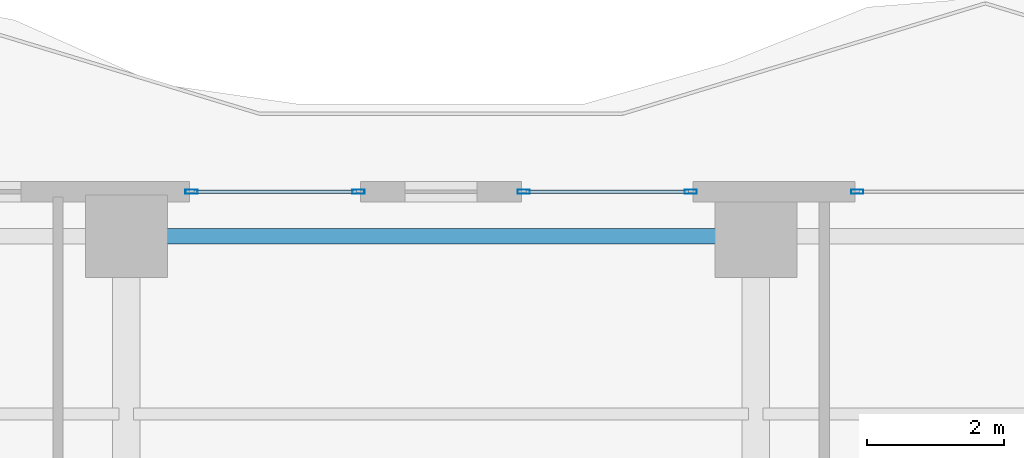
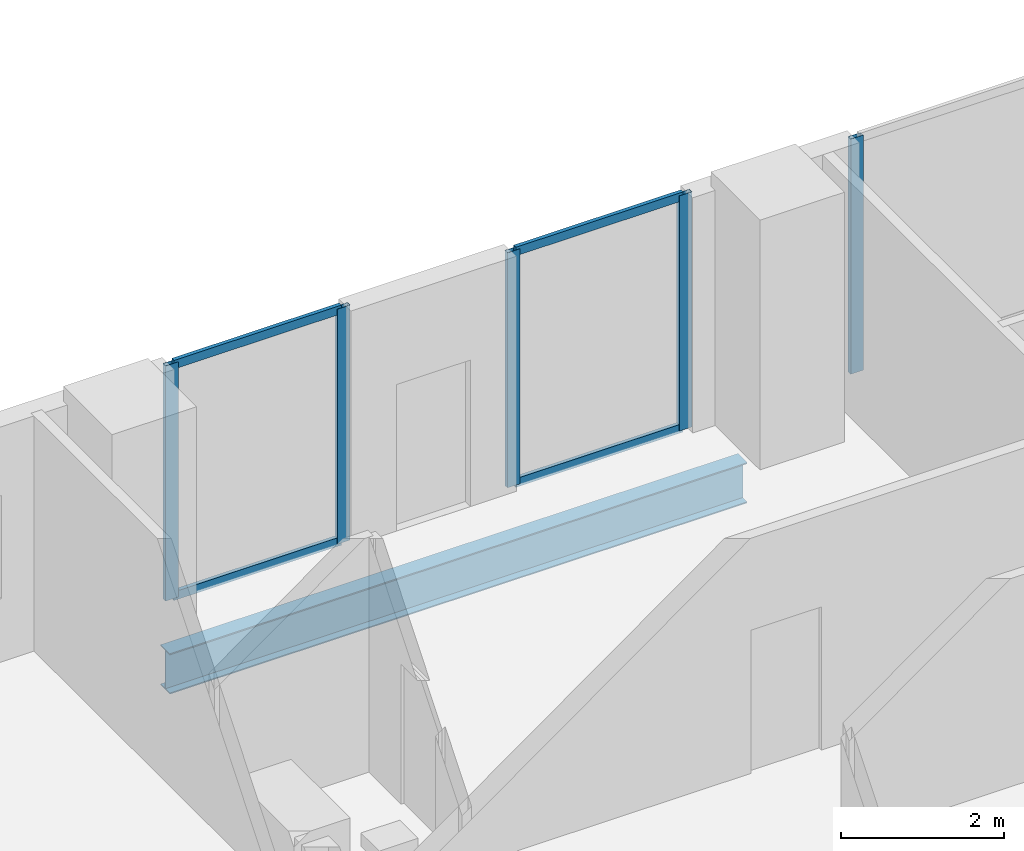
# One storey, part 19 of 32: 9 members, 1 beam, 3 elements without a shape of their own.
"""IFC4 building model written with IfcOpenShell, lengths in metres."""

from ifc_helpers import new_model, si_unit, direction, frame, origin, origin_2d, place, context, subcontext, project, spatial, hollow_rectangle, i_section, extrude, material, layer, layer_set, material_profile, profile_set, type_object, element, aggregate, save


model = new_model("IFC4")

# Units and contexts
model_context = context("Model", 3, precision=1e-05, world=origin(), true_north=direction((0.0, 1.0)))
body_context = subcontext(model_context, "Body", "Model", "MODEL_VIEW")
ifc_project = project(units=[si_unit("LENGTHUNIT", "METRE"), si_unit("AREAUNIT", "SQUARE_METRE"), si_unit("VOLUMEUNIT", "CUBIC_METRE"), si_unit("PLANEANGLEUNIT", "RADIAN"), si_unit("MASSUNIT", "GRAM", prefix="KILO")], contexts=[model_context])

# Site, building, storey
site_placement = place(None, origin())
site = spatial("IfcSite", under=ifc_project, at=site_placement, CompositionType="ELEMENT")
building_placement = place(site_placement, origin())
building = spatial("IfcBuilding", under=site, at=building_placement, Name="Zuhayl Quay Hotel", CompositionType="ELEMENT")
storey_placement = place(building_placement, frame((0.0, 0.0, 192.39990234375)))
storey = spatial("IfcBuildingStorey", under=building, at=storey_placement, Name="L48", CompositionType="ELEMENT", Elevation=192.39990234375)

# Beam
ifc_material_1 = material(Name="Steel ASTM A992 Grade 50", Category="steel")
ifc_material_profile_1 = material_profile(ifc_material_1, i_section(OverallWidth=0.22802734375, OverallDepth=0.60693359375, WebThickness=0.01123046875, FlangeThickness=0.017333984375, at=origin_2d()), Name="W24X76")
ifc_profile_set_1 = profile_set([ifc_material_profile_1], Name="Steel ASTM A992 Grade 50")
beam_type = type_object("IfcBeamType", Name="BM_B3_W24X76", PredefinedType="BEAM", material=ifc_profile_set_1)
beam_placement = place(storey_placement, frame((4.10009765625, 32.949951171875, -0.5234375), z_axis=(-1.0, 0.0, 0.0), x_axis=(0.0, -1.0, 0.0)))
element("IfcBeam", 1, at=beam_placement, inside=storey, type_object=beam_type, Name="L48 Floor Beam RG_L48_08", PredefinedType="BEAM", context=body_context, shape_type="SweptSolid", body=[
    extrude(i_section(OverallWidth=0.22802734375, OverallDepth=0.60693359375, WebThickness=0.01123046875, FlangeThickness=0.017333984375, at=origin_2d()), origin(), (0.0, 0.0, 1.0), 8.2001953125),
])

# Curtain wall, members
ifc_material_2 = material(Name="Anodised Aluminium 6063-T6", Category="aluminium")
ifc_layer = layer(ifc_material_2, 0.175048828125, Name="Anodised Aluminium 6063-T6", Category="aluminium")
ifc_layer_set = layer_set([ifc_layer], Name="Anodised Aluminium 6063-T6")
curtain_wall_type = type_object("IfcCurtainWallType", Name="CW_SYS_Z3", PredefinedType="USERDEFINED", material=ifc_layer_set)
curtain_wall_1_placement = place(storey_placement, origin())
curtain_wall_1 = element("IfcCurtainWall", 2, at=curtain_wall_1_placement, inside=storey, type_object=curtain_wall_type, Name="L48 Curtain Wall ENV_L48_N_CW3", ObjectType="UNITISED CURTAIN WALL", PredefinedType="USERDEFINED")
ifc_material_3 = material(Name="Black-anodised aluminium 6063-T6", Category="aluminium")
ifc_material_profile_2 = material_profile(ifc_material_3, hollow_rectangle(XDim=0.06494140625, YDim=0.179931640625, WallThickness=0.00341796875, at=origin_2d()), Name="ALU180X65")
ifc_profile_set_2 = profile_set([ifc_material_profile_2], Name="Black-anodised aluminium 6063-T6")
member_type_1 = type_object("IfcMemberType", Name="MB_CW_MUL_180", PredefinedType="MULLION", material=ifc_profile_set_2)
member_1_placement = place(storey_placement, frame((-3.6474609375, 33.60009765625, 0.0), z_axis=(0.0, 0.0, 1.0), x_axis=(0.0, 1.0, 0.0)))
member_1 = element("IfcMember", 3, at=member_1_placement, type_object=member_type_1, Name="CW-Z3 mullion 1", PredefinedType="MULLION", context=body_context, shape_type="SweptSolid", body=[
    extrude(hollow_rectangle(XDim=0.06494140625, YDim=0.179931640625, WallThickness=0.00341796875, at=origin_2d()), origin(), (0.0, 0.0, 1.0), 3.530029296875),
])
member_2_placement = place(storey_placement, frame((-1.20751953125, 33.60009765625, 0.0), z_axis=(0.0, 0.0, 1.0), x_axis=(0.0, 1.0, 0.0)))
member_2 = element("IfcMember", 4, at=member_2_placement, type_object=member_type_1, Name="CW-Z3 mullion 2", PredefinedType="MULLION", context=body_context, shape_type="SweptSolid", body=[
    extrude(hollow_rectangle(XDim=0.06494140625, YDim=0.179931640625, WallThickness=0.00341796875, at=origin_2d()), origin(), (0.0, 0.0, 1.0), 3.530029296875),
])

curtain_wall_2_placement = place(storey_placement, origin())
curtain_wall_2 = element("IfcCurtainWall", 5, at=curtain_wall_2_placement, inside=storey, type_object=curtain_wall_type, Name="L48 Curtain Wall ENV_L48_N_CW4", ObjectType="UNITISED CURTAIN WALL", PredefinedType="USERDEFINED")
member_3_placement = place(storey_placement, frame((1.20751953125, 33.60009765625, 0.0), z_axis=(0.0, 0.0, 1.0), x_axis=(0.0, 1.0, 0.0)))
member_3 = element("IfcMember", 6, at=member_3_placement, type_object=member_type_1, Name="CW-Z3 mullion 1", PredefinedType="MULLION", context=body_context, shape_type="SweptSolid", body=[
    extrude(hollow_rectangle(XDim=0.06494140625, YDim=0.179931640625, WallThickness=0.00341796875, at=origin_2d()), origin(), (0.0, 0.0, 1.0), 3.530029296875),
])
member_4_placement = place(storey_placement, frame((3.6474609375, 33.60009765625, 0.0), z_axis=(0.0, 0.0, 1.0), x_axis=(0.0, 1.0, 0.0)))
member_4 = element("IfcMember", 7, at=member_4_placement, type_object=member_type_1, Name="CW-Z3 mullion 2", PredefinedType="MULLION", context=body_context, shape_type="SweptSolid", body=[
    extrude(hollow_rectangle(XDim=0.06494140625, YDim=0.179931640625, WallThickness=0.00341796875, at=origin_2d()), origin(), (0.0, 0.0, 1.0), 3.530029296875),
])

# Curtain wall, member
curtain_wall_3_placement = place(storey_placement, origin())
curtain_wall_3 = element("IfcCurtainWall", 8, at=curtain_wall_3_placement, inside=storey, type_object=curtain_wall_type, Name="L48 Curtain Wall ENV_L48_N_CW5", ObjectType="UNITISED CURTAIN WALL", PredefinedType="USERDEFINED")
member_5_placement = place(storey_placement, frame((6.08251953125, 33.60009765625, 0.0), z_axis=(0.0, 0.0, 1.0), x_axis=(0.0, 1.0, 0.0)))
member_5 = element("IfcMember", 9, at=member_5_placement, type_object=member_type_1, Name="CW-Z3 mullion 1", PredefinedType="MULLION", context=body_context, shape_type="SweptSolid", body=[
    extrude(hollow_rectangle(XDim=0.06494140625, YDim=0.179931640625, WallThickness=0.00341796875, at=origin_2d()), origin(), (0.0, 0.0, 1.0), 3.530029296875),
])
aggregate(curtain_wall_3, [member_5])

# Member
ifc_material_profile_3 = material_profile(ifc_material_3, hollow_rectangle(XDim=0.054931640625, YDim=0.1298828125, WallThickness=0.0029296875, at=origin_2d()), Name="ALU130X55")
ifc_profile_set_3 = profile_set([ifc_material_profile_3], Name="Black-anodised aluminium 6063-T6")
member_type_2 = type_object("IfcMemberType", Name="MB_CW_TRN_130", PredefinedType="USERDEFINED", material=ifc_profile_set_3)
member_6_placement = place(storey_placement, frame((-3.614990234375, 33.60009765625, 0.027587890625), z_axis=(1.0, 0.0, 0.0), x_axis=(0.0, 1.0, 0.0)))
member_6 = element("IfcMember", 10, at=member_6_placement, type_object=member_type_2, Name="CW-Z3 transom 1.1", ObjectType="TRANSOM", PredefinedType="USERDEFINED", context=body_context, shape_type="SweptSolid", body=[
    extrude(hollow_rectangle(XDim=0.054931640625, YDim=0.1298828125, WallThickness=0.0029296875, at=origin_2d()), origin(), (0.0, 0.0, 1.0), 2.375),
])

member_7_placement = place(storey_placement, frame((-3.614990234375, 33.60009765625, 3.502685546875), z_axis=(1.0, 0.0, 0.0), x_axis=(0.0, 1.0, 0.0)))
member_7 = element("IfcMember", 11, at=member_7_placement, type_object=member_type_2, Name="CW-Z3 transom 1.2", ObjectType="TRANSOM", PredefinedType="USERDEFINED", context=body_context, shape_type="SweptSolid", body=[
    extrude(hollow_rectangle(XDim=0.054931640625, YDim=0.1298828125, WallThickness=0.0029296875, at=origin_2d()), origin(), (0.0, 0.0, 1.0), 2.375),
])

aggregate(curtain_wall_1, [member_1, member_2, member_6, member_7])

member_8_placement = place(storey_placement, frame((1.239990234375, 33.60009765625, 0.027587890625), z_axis=(1.0, 0.0, 0.0), x_axis=(0.0, 1.0, 0.0)))
member_8 = element("IfcMember", 12, at=member_8_placement, type_object=member_type_2, Name="CW-Z3 transom 1.1", ObjectType="TRANSOM", PredefinedType="USERDEFINED", context=body_context, shape_type="SweptSolid", body=[
    extrude(hollow_rectangle(XDim=0.054931640625, YDim=0.1298828125, WallThickness=0.0029296875, at=origin_2d()), origin(), (0.0, 0.0, 1.0), 2.375),
])

member_9_placement = place(storey_placement, frame((1.239990234375, 33.60009765625, 3.502685546875), z_axis=(1.0, 0.0, 0.0), x_axis=(0.0, 1.0, 0.0)))
member_9 = element("IfcMember", 13, at=member_9_placement, type_object=member_type_2, Name="CW-Z3 transom 1.2", ObjectType="TRANSOM", PredefinedType="USERDEFINED", context=body_context, shape_type="SweptSolid", body=[
    extrude(hollow_rectangle(XDim=0.054931640625, YDim=0.1298828125, WallThickness=0.0029296875, at=origin_2d()), origin(), (0.0, 0.0, 1.0), 2.375),
])

aggregate(curtain_wall_2, [member_3, member_4, member_8, member_9])

save(model, "model.ifc")
